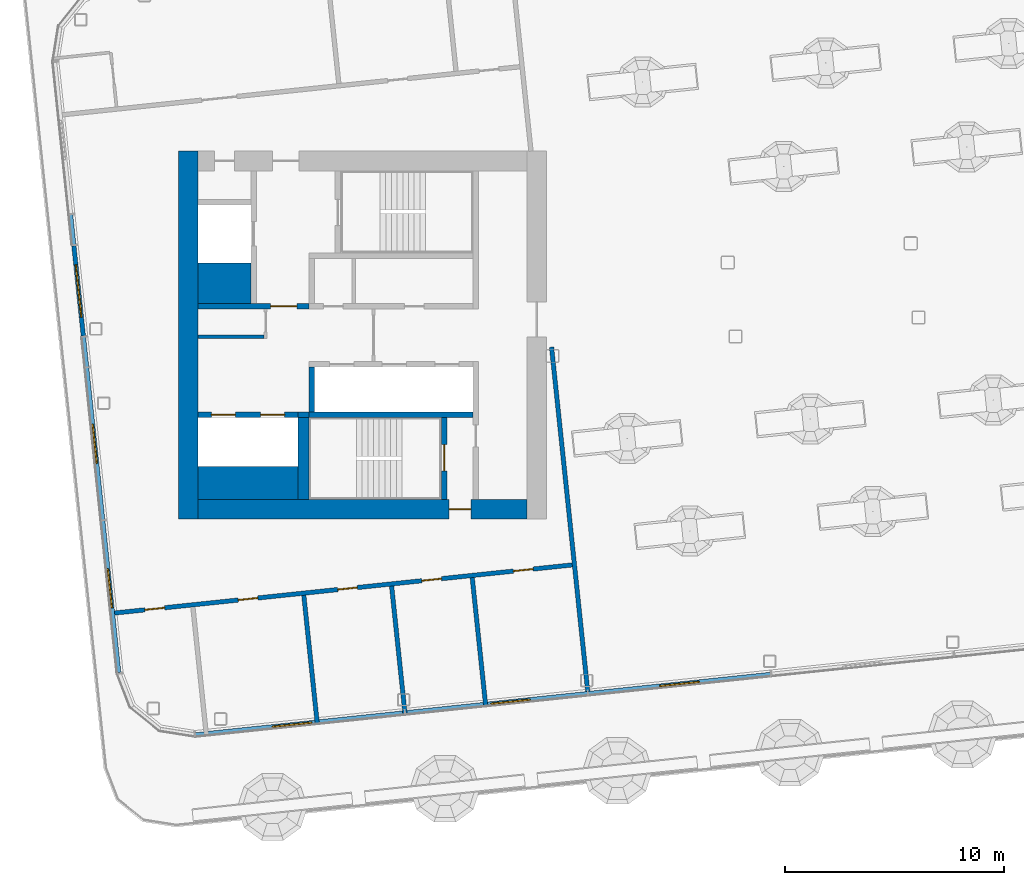
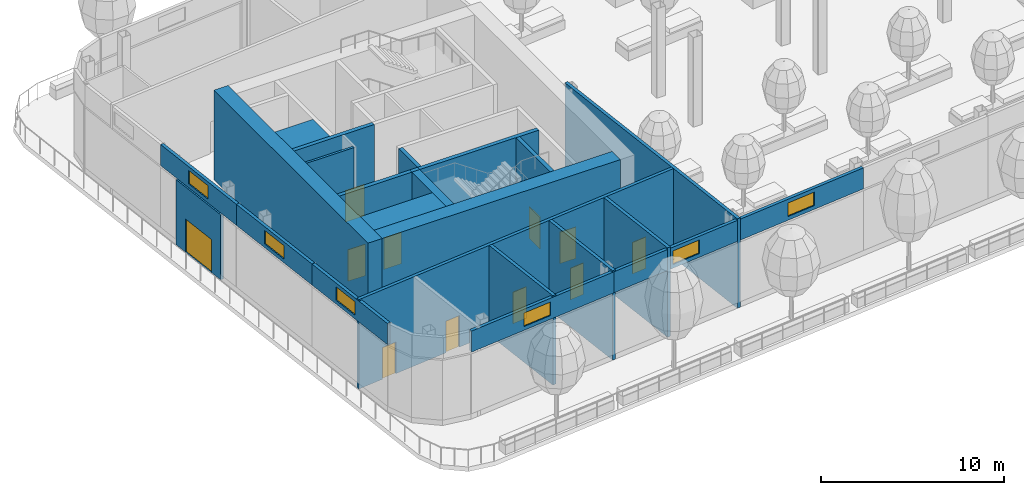
# One storey, part 11 of 42: 24 walls, 11 doors, 6 windows, 17 openings, 2 elements without a shape of their own.
"""IFC4 building model written with IfcOpenShell, lengths in metres."""

from ifc_helpers import new_model, si_unit, direction, frame, frame_2d, origin, place, context, subcontext, project, spatial, rectangle, extrude, material, layer, layer_set, type_object, element, fill, aggregate, save


model = new_model("IFC4")

# Units and contexts
model_context = context("Model", 3, precision=1e-05, world=origin(), true_north=direction((0.0, 1.0)))
body_context = subcontext(model_context, "Body", "Model", "MODEL_VIEW")
ifc_project = project(units=[si_unit("LENGTHUNIT", "METRE"), si_unit("AREAUNIT", "SQUARE_METRE"), si_unit("VOLUMEUNIT", "CUBIC_METRE"), si_unit("PLANEANGLEUNIT", "RADIAN"), si_unit("MASSUNIT", "GRAM", prefix="KILO")], contexts=[model_context])

# Site, building, storey
site_placement = place(None, origin())
site = spatial("IfcSite", under=ifc_project, at=site_placement, CompositionType="ELEMENT")
building_placement = place(site_placement, origin())
building = spatial("IfcBuilding", under=site, at=building_placement, Name="Hakoniwa Tower and Hamabe Station Hall", CompositionType="ELEMENT")
storey_placement = place(building_placement, frame((0.0, 0.0, 232.60009765625)))
storey = spatial("IfcBuildingStorey", under=building, at=storey_placement, Name="L66", CompositionType="ELEMENT", Elevation=232.60009765625)

# Walls
ifc_material_1 = material(Name="Gypsum board partition")
ifc_layer_1 = layer(ifc_material_1, 0.14990234375)
ifc_layer_set_1 = layer_set([ifc_layer_1], Name="CORE PARTITION 150 EI 60")
wall_type_1 = type_object("IfcWallType", Name="CORE PARTITION 150 EI 60", PredefinedType="PARTITIONING", material=ifc_layer_set_1)
wall_1_placement = place(storey_placement, frame((-32.699951171875, -0.074951171875, 0.0), z_axis=(0.0, 0.0, 1.0), x_axis=(1.0, 0.0, 0.0)))
element("IfcWall", 1, at=wall_1_placement, inside=storey, type_object=wall_type_1, Name="Core partition PS west", PredefinedType="PARTITIONING", context=body_context, shape_type="SweptSolid", body=[
    extrude(rectangle(XDim=3.0, YDim=0.14990234375, at=frame_2d((1.5, 0.0))), origin(), (0.0, 0.0, 1.0), 5.949951171875),
])
ifc_material_2 = material(Name="Concrete C60", Category="concrete")
ifc_layer_2 = layer(ifc_material_2, 0.89990234375)
ifc_layer_set_2 = layer_set([ifc_layer_2], Name="CORE WALL 900 C60")
wall_type_2 = type_object("IfcWallType", Name="CORE WALL 900 C60", PredefinedType="SHEAR", material=ifc_layer_set_2)
wall_2_placement = place(storey_placement, frame((-33.14990234375, -8.39990234375, 0.0), z_axis=(0.0, 0.0, 1.0), x_axis=(0.0, 1.0, 0.0)))
element("IfcWall", 2, at=wall_2_placement, inside=storey, type_object=wall_type_2, Name="Core wall OUTER west", PredefinedType="SHEAR", context=body_context, shape_type="SweptSolid", body=[
    extrude(rectangle(XDim=16.7998046875, YDim=0.89990234375, at=frame_2d((8.39990234375, 0.0))), origin(), (0.0, 0.0, 1.0), 5.949951171875),
])

# Wall, opening, door
wall_3_placement = place(storey_placement, frame((-32.699951171875, -7.949951171875, 0.0), z_axis=(0.0, 0.0, 1.0), x_axis=(1.0, 0.0, 0.0)))
wall_3 = element("IfcWall", 3, at=wall_3_placement, inside=storey, type_object=wall_type_2, Name="Core wall SOUTH west", PredefinedType="SHEAR", context=body_context, shape_type="SweptSolid", body=[
    extrude(rectangle(XDim=15.0, YDim=0.89990234375, at=frame_2d((7.5, 0.0))), origin(), (0.0, 0.0, 1.0), 5.949951171875),
])
opening_1_placement = place(wall_3_placement, frame((11.449951171875, 0.0, 0.0)))
opening_1 = element("IfcOpeningElement", 4, at=opening_1_placement, cuts=wall_3, Name="Opening CD-W-FS3-10", PredefinedType="OPENING", context=body_context, shape_type="SweptSolid", body=[
    extrude(rectangle(XDim=1.0, YDim=2.10009765625, at=frame_2d((0.5, 1.050048828125))), frame((0.0, 0.4599609375, 0.0), z_axis=(0.0, -1.0, 0.0), x_axis=(1.0, 0.0, 0.0)), (0.0, 0.0, 1.0), 0.919921875),
])
ifc_material_3 = material(Name="Steel fire door", Category="steel")
door_type_1 = type_object("IfcDoorType", Name="CORE DOOR 1000 FD60", OperationType="NOTDEFINED", PredefinedType="DOOR", material=ifc_material_3)
door_1_placement = place(opening_1_placement, origin())
door_1 = element("IfcDoor", 5, at=door_1_placement, inside=storey, type_object=door_type_1, Name="Stair vestibule door", OperationType="SINGLE_SWING_RIGHT", OverallHeight=2.10009765625, OverallWidth=1.0, PredefinedType="DOOR", context=body_context, shape_type="SweptSolid", body=[
    extrude(rectangle(XDim=1.0, YDim=2.10009765625, at=frame_2d((0.5, 1.050048828125))), frame((0.0, 0.02490234375, 0.0), z_axis=(0.0, -1.0, 0.0), x_axis=(1.0, 0.0, 0.0)), (0.0, 0.0, 1.0), 0.050048828125),
])
fill(opening_1, door_1)

# Walls
ifc_material_4 = material(Name="Concrete C60", Category="concrete")
ifc_layer_3 = layer(ifc_material_4, 1.5)
ifc_layer_set_3 = layer_set([ifc_layer_3], Name="CORE WEB WALL 1500 C60")
wall_type_3 = type_object("IfcWallType", Name="CORE WEB WALL 1500 C60", PredefinedType="SHEAR", material=ifc_layer_set_3)
wall_4_placement = place(storey_placement, frame((-32.699951171875, -6.75, 0.0), z_axis=(0.0, 0.0, 1.0), x_axis=(1.0, 0.0, 0.0)))
element("IfcWall", 6, at=wall_4_placement, inside=storey, type_object=wall_type_3, Name="Core wall SER west", PredefinedType="SHEAR", context=body_context, shape_type="SweptSolid", body=[
    extrude(rectangle(XDim=4.550048828125, YDim=1.5, at=frame_2d((2.27490234375, 0.0))), origin(), (0.0, 0.0, 1.0), 5.949951171875),
])
ifc_material_5 = material(Name="Concrete C60", Category="concrete")
ifc_layer_4 = layer(ifc_material_5, 1.85009765625)
ifc_layer_set_4 = layer_set([ifc_layer_4], Name="CORE WEB WALL 1850 C60")
wall_type_4 = type_object("IfcWallType", Name="CORE WEB WALL 1850 C60", PredefinedType="SHEAR", material=ifc_layer_set_4)
wall_5_placement = place(storey_placement, frame((-32.699951171875, 2.375, 0.0), z_axis=(0.0, 0.0, 1.0), x_axis=(1.0, 0.0, 0.0)))
element("IfcWall", 7, at=wall_5_placement, inside=storey, type_object=wall_type_4, Name="Core wall CA west", PredefinedType="SHEAR", context=body_context, shape_type="SweptSolid", body=[
    extrude(rectangle(XDim=2.39990234375, YDim=1.85009765625, at=frame_2d((1.199951171875, 0.0))), origin(), (0.0, 0.0, 1.0), 5.949951171875),
])

# Wall, opening, door
ifc_material_6 = material(Name="Concrete C60", Category="concrete")
ifc_layer_5 = layer(ifc_material_6, 0.25)
ifc_layer_set_5 = layer_set([ifc_layer_5], Name="CORE WEB WALL 250 C60")
wall_type_5 = type_object("IfcWallType", Name="CORE WEB WALL 250 C60", PredefinedType="SHEAR", material=ifc_layer_set_5)
wall_6_placement = place(storey_placement, frame((-32.699951171875, 1.324951171875, 0.0), z_axis=(0.0, 0.0, 1.0), x_axis=(1.0, 0.0, 0.0)))
wall_6 = element("IfcWall", 8, at=wall_6_placement, inside=storey, type_object=wall_type_5, Name="Core wall ELN west", PredefinedType="SHEAR", context=body_context, shape_type="SweptSolid", body=[
    extrude(rectangle(XDim=5.050048828125, YDim=0.25, at=frame_2d((2.52490234375, 0.0))), origin(), (0.0, 0.0, 1.0), 5.949951171875),
])
opening_2_placement = place(wall_6_placement, frame((3.300048828125, 0.0, 0.0)))
opening_2 = element("IfcOpeningElement", 9, at=opening_2_placement, cuts=wall_6, Name="Opening CD-W-FL-12", PredefinedType="OPENING", context=body_context, shape_type="SweptSolid", body=[
    extrude(rectangle(XDim=1.199951171875, YDim=2.10009765625, at=frame_2d((0.60009765625, 1.050048828125))), frame((0.0, 0.135009765625, 0.0), z_axis=(0.0, -1.0, 0.0), x_axis=(1.0, 0.0, 0.0)), (0.0, 0.0, 1.0), 0.27001953125),
])
ifc_material_7 = material(Name="Steel fire door", Category="steel")
door_type_2 = type_object("IfcDoorType", Name="CORE DOOR 1200 FD60", OperationType="DOUBLE_DOOR_SINGLE_SWING", PredefinedType="DOOR", material=ifc_material_7)
door_2_placement = place(opening_2_placement, origin())
door_2 = element("IfcDoor", 10, at=door_2_placement, inside=storey, type_object=door_type_2, Name="Stair vestibule door to the fire-fighting lobby", OperationType="DOUBLE_DOOR_SINGLE_SWING", OverallHeight=2.10009765625, OverallWidth=1.199951171875, PredefinedType="DOOR", context=body_context, shape_type="SweptSolid", body=[
    extrude(rectangle(XDim=1.199951171875, YDim=2.10009765625, at=frame_2d((0.60009765625, 1.050048828125))), frame((0.0, 0.02490234375, 0.0), z_axis=(0.0, -1.0, 0.0), x_axis=(1.0, 0.0, 0.0)), (0.0, 0.0, 1.0), 0.050048828125),
])
fill(opening_2, door_2)

# Walls
wall_7_placement = place(storey_placement, frame((-27.52490234375, -3.5, 0.0), z_axis=(0.0, 0.0, 1.0), x_axis=(0.0, 1.0, 0.0)))
element("IfcWall", 11, at=wall_7_placement, inside=storey, type_object=wall_type_5, Name="Core wall SE west", PredefinedType="SHEAR", context=body_context, shape_type="SweptSolid", body=[
    extrude(rectangle(XDim=2.050048828125, YDim=0.25, at=frame_2d((1.02490234375, 0.0))), origin(), (0.0, 0.0, 1.0), 5.949951171875),
])
wall_8_placement = place(storey_placement, frame((-27.64990234375, -3.625, 0.0), z_axis=(0.0, 0.0, 1.0), x_axis=(1.0, 0.0, 0.0)))
element("IfcWall", 12, at=wall_8_placement, inside=storey, type_object=wall_type_5, Name="Core wall SR west", PredefinedType="SHEAR", context=body_context, shape_type="SweptSolid", body=[
    extrude(rectangle(XDim=7.5, YDim=0.25, at=frame_2d((3.75, 0.0))), origin(), (0.0, 0.0, 1.0), 5.949951171875),
])

# Wall, opening, door
wall_9_placement = place(storey_placement, frame((-21.47509765625, -7.5, 0.0), z_axis=(0.0, 0.0, 1.0), x_axis=(0.0, 1.0, 0.0)))
wall_9 = element("IfcWall", 13, at=wall_9_placement, inside=storey, type_object=wall_type_5, Name="Core wall VE west", PredefinedType="SHEAR", context=body_context, shape_type="SweptSolid", body=[
    extrude(rectangle(XDim=3.75, YDim=0.25, at=frame_2d((1.875, 0.0))), origin(), (0.0, 0.0, 1.0), 5.949951171875),
])
opening_3_placement = place(wall_9_placement, frame((1.300048828125, 0.0, 0.0)))
opening_3 = element("IfcOpeningElement", 14, at=opening_3_placement, cuts=wall_9, Name="Opening CD-W-SS-12", PredefinedType="OPENING", context=body_context, shape_type="SweptSolid", body=[
    extrude(rectangle(XDim=1.199951171875, YDim=2.10009765625, at=frame_2d((0.60009765625, 1.050048828125))), frame((0.0, 0.135009765625, 0.0), z_axis=(0.0, -1.0, 0.0), x_axis=(1.0, 0.0, 0.0)), (0.0, 0.0, 1.0), 0.27001953125),
])
door_3_placement = place(opening_3_placement, origin())
door_3 = element("IfcDoor", 15, at=door_3_placement, inside=storey, type_object=door_type_2, Name="Escape stair door", OperationType="DOUBLE_DOOR_SINGLE_SWING", OverallHeight=2.10009765625, OverallWidth=1.199951171875, PredefinedType="DOOR", context=body_context, shape_type="SweptSolid", body=[
    extrude(rectangle(XDim=1.199951171875, YDim=2.10009765625, at=frame_2d((0.60009765625, 1.050048828125))), frame((0.0, 0.02490234375, 0.0), z_axis=(0.0, -1.0, 0.0), x_axis=(1.0, 0.0, 0.0)), (0.0, 0.0, 1.0), 0.050048828125),
])
fill(opening_3, door_3)

# Wall, openings, doors
wall_10_placement = place(storey_placement, frame((-32.699951171875, -3.625, 0.0), z_axis=(0.0, 0.0, 1.0), x_axis=(1.0, 0.0, 0.0)))
wall_10 = element("IfcWall", 16, at=wall_10_placement, inside=storey, type_object=wall_type_5, Name="Core wall SEF west", PredefinedType="SHEAR", context=body_context, shape_type="SweptSolid", body=[
    extrude(rectangle(XDim=4.550048828125, YDim=0.25, at=frame_2d((2.27490234375, 0.0))), origin(), (0.0, 0.0, 1.0), 5.949951171875),
])
opening_4_placement = place(wall_10_placement, frame((2.85009765625, 0.0, 0.0)))
opening_4 = element("IfcOpeningElement", 17, at=opening_4_placement, cuts=wall_10, Name="Opening LD-SV1", PredefinedType="OPENING", context=body_context, shape_type="SweptSolid", body=[
    extrude(rectangle(XDim=1.10009765625, YDim=2.10009765625, at=frame_2d((0.550048828125, 1.050048828125))), frame((0.0, 0.135009765625, 0.0), z_axis=(0.0, -1.0, 0.0), x_axis=(1.0, 0.0, 0.0)), (0.0, 0.0, 1.0), 0.27001953125),
])
opening_5_placement = place(wall_10_placement, frame((0.60009765625, 0.0, 0.0)))
opening_5 = element("IfcOpeningElement", 18, at=opening_5_placement, cuts=wall_10, Name="Opening LD-SV2", PredefinedType="OPENING", context=body_context, shape_type="SweptSolid", body=[
    extrude(rectangle(XDim=1.10009765625, YDim=2.10009765625, at=frame_2d((0.550048828125, 1.050048828125))), frame((0.0, 0.135009765625, 0.0), z_axis=(0.0, -1.0, 0.0), x_axis=(1.0, 0.0, 0.0)), (0.0, 0.0, 1.0), 0.27001953125),
])
ifc_material_8 = material(Name="Stainless steel SUS304", Category="steel")
door_type_3 = type_object("IfcDoorType", Name="LIFT LANDING DOOR 1100 FD60", OperationType="DOUBLE_DOOR_SLIDING", PredefinedType="DOOR", material=ifc_material_8)
door_4_placement = place(opening_4_placement, origin())
door_4 = element("IfcDoor", 19, at=door_4_placement, inside=storey, type_object=door_type_3, Name="Lift landing door SV1 L66", OperationType="DOUBLE_DOOR_SLIDING", OverallHeight=2.10009765625, OverallWidth=1.10009765625, PredefinedType="DOOR", context=body_context, shape_type="SweptSolid", body=[
    extrude(rectangle(XDim=1.10009765625, YDim=2.10009765625, at=frame_2d((0.550048828125, 1.050048828125))), frame((0.0, 0.02490234375, 0.0), z_axis=(0.0, -1.0, 0.0), x_axis=(1.0, 0.0, 0.0)), (0.0, 0.0, 1.0), 0.050048828125),
])
fill(opening_4, door_4)
door_5_placement = place(opening_5_placement, origin())
door_5 = element("IfcDoor", 20, at=door_5_placement, inside=storey, type_object=door_type_3, Name="Lift landing door SV2 L66", OperationType="DOUBLE_DOOR_SLIDING", OverallHeight=2.10009765625, OverallWidth=1.10009765625, PredefinedType="DOOR", context=body_context, shape_type="SweptSolid", body=[
    extrude(rectangle(XDim=1.10009765625, YDim=2.10009765625, at=frame_2d((0.550048828125, 1.050048828125))), frame((0.0, 0.02490234375, 0.0), z_axis=(0.0, -1.0, 0.0), x_axis=(1.0, 0.0, 0.0)), (0.0, 0.0, 1.0), 0.050048828125),
])
fill(opening_5, door_5)

# Walls
wall_11_placement = place(storey_placement, frame((-28.14990234375, -3.625, 0.0), z_axis=(0.0, 0.0, 1.0), x_axis=(1.0, 0.0, 0.0)))
element("IfcWall", 21, at=wall_11_placement, inside=storey, type_object=wall_type_5, Name="Core wall SRK west", PredefinedType="SHEAR", context=body_context, shape_type="SweptSolid", body=[
    extrude(rectangle(XDim=0.5, YDim=0.25, at=frame_2d((0.25, 0.0))), origin(), (0.0, 0.0, 1.0), 5.949951171875),
])
ifc_material_9 = material(Name="Concrete C60", Category="concrete")
ifc_layer_6 = layer(ifc_material_9, 0.5)
ifc_layer_set_6 = layer_set([ifc_layer_6], Name="CORE WEB WALL 500 C60")
wall_type_6 = type_object("IfcWallType", Name="CORE WEB WALL 500 C60", PredefinedType="SHEAR", material=ifc_layer_set_6)
wall_12_placement = place(storey_placement, frame((-27.89990234375, -7.5, 0.0), z_axis=(0.0, 0.0, 1.0), x_axis=(0.0, 1.0, 0.0)))
element("IfcWall", 22, at=wall_12_placement, inside=storey, type_object=wall_type_6, Name="Core wall SSE west", PredefinedType="SHEAR", context=body_context, shape_type="SweptSolid", body=[
    extrude(rectangle(XDim=3.75, YDim=0.5, at=frame_2d((1.875, 0.0))), origin(), (0.0, 0.0, 1.0), 5.949951171875),
])

# Wall, openings, doors
ifc_material_10 = material(Name="Fire-rated gypsum board partition", Category="gypsum")
ifc_layer_7 = layer(ifc_material_10, 0.199951171875)
ifc_layer_set_7 = layer_set([ifc_layer_7], Name="Corridor Wall 200")
wall_type_7 = type_object("IfcWallType", Name="Corridor Wall 200", PredefinedType="PARTITIONING", material=ifc_layer_set_7)
wall_13_placement = place(storey_placement, frame((-36.711669921875, -12.704833984375, 0.0), z_axis=(0.0, 0.0, 1.0), x_axis=(0.994522460242, 0.104523088709, 0.0)))
wall_13 = element("IfcWall", 23, at=wall_13_placement, inside=storey, type_object=wall_type_7, Name="GW-L66-002", PredefinedType="PARTITIONING", context=body_context, shape_type="SweptSolid", body=[
    extrude(rectangle(XDim=21.2998046875, YDim=0.199951171875, at=frame_2d((10.64990234375, 0.0))), origin(), (0.0, 0.0, 1.0), 5.949951171875),
])
opening_6_placement = place(wall_13_placement, frame((1.590087890625, 0.0, 0.0)))
opening_6 = element("IfcOpeningElement", 24, at=opening_6_placement, cuts=wall_13, Name="Opening GD-SL66-01", PredefinedType="OPENING", context=body_context, shape_type="SweptSolid", body=[
    extrude(rectangle(XDim=0.89990234375, YDim=2.10009765625, at=frame_2d((0.449951171875, 1.050048828125))), frame((0.0, 0.10986328125, 0.0), z_axis=(0.0, -1.0, 0.0), x_axis=(1.0, 0.0, 0.0)), (0.0, 0.0, 1.0), 0.219970703125),
])
opening_7_placement = place(wall_13_placement, frame((5.875, 0.0, 0.0)))
opening_7 = element("IfcOpeningElement", 25, at=opening_7_placement, cuts=wall_13, Name="Opening GD-SL66-02", PredefinedType="OPENING", context=body_context, shape_type="SweptSolid", body=[
    extrude(rectangle(XDim=0.89990234375, YDim=2.10009765625, at=frame_2d((0.449951171875, 1.050048828125))), frame((0.0, 0.10986328125, 0.0), z_axis=(0.0, -1.0, 0.0), x_axis=(1.0, 0.0, 0.0)), (0.0, 0.0, 1.0), 0.219970703125),
])
opening_8_placement = place(wall_13_placement, frame((10.43505859375, 0.0, 0.0)))
opening_8 = element("IfcOpeningElement", 26, at=opening_8_placement, cuts=wall_13, Name="Opening GD-SL66-03", PredefinedType="OPENING", context=body_context, shape_type="SweptSolid", body=[
    extrude(rectangle(XDim=0.89990234375, YDim=2.10009765625, at=frame_2d((0.449951171875, 1.050048828125))), frame((0.0, 0.10986328125, 0.0), z_axis=(0.0, -1.0, 0.0), x_axis=(1.0, 0.0, 0.0)), (0.0, 0.0, 1.0), 0.219970703125),
])
opening_9_placement = place(wall_13_placement, frame((14.300048828125, 0.0, 0.0)))
opening_9 = element("IfcOpeningElement", 27, at=opening_9_placement, cuts=wall_13, Name="Opening GD-SL66-04", PredefinedType="OPENING", context=body_context, shape_type="SweptSolid", body=[
    extrude(rectangle(XDim=0.89990234375, YDim=2.10009765625, at=frame_2d((0.449951171875, 1.050048828125))), frame((0.0, 0.10986328125, 0.0), z_axis=(0.0, -1.0, 0.0), x_axis=(1.0, 0.0, 0.0)), (0.0, 0.0, 1.0), 0.219970703125),
])
opening_10_placement = place(wall_13_placement, frame((18.5, 0.0, 0.0)))
opening_10 = element("IfcOpeningElement", 28, at=opening_10_placement, cuts=wall_13, Name="Opening GD-SL66-05", PredefinedType="OPENING", context=body_context, shape_type="SweptSolid", body=[
    extrude(rectangle(XDim=0.89990234375, YDim=2.10009765625, at=frame_2d((0.449951171875, 1.050048828125))), frame((0.0, 0.10986328125, 0.0), z_axis=(0.0, -1.0, 0.0), x_axis=(1.0, 0.0, 0.0)), (0.0, 0.0, 1.0), 0.219970703125),
])
ifc_material_11 = material(Name="Timber door leaf", Category="wood")
door_type_4 = type_object("IfcDoorType", Name="Service Door 900", OperationType="SINGLE_SWING_LEFT", PredefinedType="DOOR", material=ifc_material_11)
door_6_placement = place(opening_6_placement, origin())
door_6 = element("IfcDoor", 29, at=door_6_placement, inside=storey, type_object=door_type_4, Name="Door GD-SL66-01", OperationType="SINGLE_SWING_RIGHT", OverallHeight=2.10009765625, OverallWidth=0.89990234375, PredefinedType="DOOR", context=body_context, shape_type="SweptSolid", body=[
    extrude(rectangle(XDim=0.89990234375, YDim=2.10009765625, at=frame_2d((0.449951171875, 1.050048828125))), frame((0.0, 0.02490234375, 0.0), z_axis=(0.0, -1.0, 0.0), x_axis=(1.0, 0.0, 0.0)), (0.0, 0.0, 1.0), 0.050048828125),
])
fill(opening_6, door_6)
door_7_placement = place(opening_7_placement, origin())
door_7 = element("IfcDoor", 30, at=door_7_placement, inside=storey, type_object=door_type_4, Name="Door GD-SL66-02", OperationType="SINGLE_SWING_RIGHT", OverallHeight=2.10009765625, OverallWidth=0.89990234375, PredefinedType="DOOR", context=body_context, shape_type="SweptSolid", body=[
    extrude(rectangle(XDim=0.89990234375, YDim=2.10009765625, at=frame_2d((0.449951171875, 1.050048828125))), frame((0.0, 0.02490234375, 0.0), z_axis=(0.0, -1.0, 0.0), x_axis=(1.0, 0.0, 0.0)), (0.0, 0.0, 1.0), 0.050048828125),
])
fill(opening_7, door_7)
door_8_placement = place(opening_8_placement, origin())
door_8 = element("IfcDoor", 31, at=door_8_placement, inside=storey, type_object=door_type_4, Name="Door GD-SL66-03", OperationType="SINGLE_SWING_LEFT", OverallHeight=2.10009765625, OverallWidth=0.89990234375, PredefinedType="DOOR", context=body_context, shape_type="SweptSolid", body=[
    extrude(rectangle(XDim=0.89990234375, YDim=2.10009765625, at=frame_2d((0.449951171875, 1.050048828125))), frame((0.0, 0.02490234375, 0.0), z_axis=(0.0, -1.0, 0.0), x_axis=(1.0, 0.0, 0.0)), (0.0, 0.0, 1.0), 0.050048828125),
])
fill(opening_8, door_8)
door_9_placement = place(opening_9_placement, origin())
door_9 = element("IfcDoor", 32, at=door_9_placement, inside=storey, type_object=door_type_4, Name="Door GD-SL66-04", OperationType="SINGLE_SWING_RIGHT", OverallHeight=2.10009765625, OverallWidth=0.89990234375, PredefinedType="DOOR", context=body_context, shape_type="SweptSolid", body=[
    extrude(rectangle(XDim=0.89990234375, YDim=2.10009765625, at=frame_2d((0.449951171875, 1.050048828125))), frame((0.0, 0.02490234375, 0.0), z_axis=(0.0, -1.0, 0.0), x_axis=(1.0, 0.0, 0.0)), (0.0, 0.0, 1.0), 0.050048828125),
])
fill(opening_9, door_9)
door_10_placement = place(opening_10_placement, origin())
door_10 = element("IfcDoor", 33, at=door_10_placement, inside=storey, type_object=door_type_4, Name="Door GD-SL66-05", OperationType="SINGLE_SWING_LEFT", OverallHeight=2.10009765625, OverallWidth=0.89990234375, PredefinedType="DOOR", context=body_context, shape_type="SweptSolid", body=[
    extrude(rectangle(XDim=0.89990234375, YDim=2.10009765625, at=frame_2d((0.449951171875, 1.050048828125))), frame((0.0, 0.02490234375, 0.0), z_axis=(0.0, -1.0, 0.0), x_axis=(1.0, 0.0, 0.0)), (0.0, 0.0, 1.0), 0.050048828125),
])
fill(opening_10, door_10)

# Curtain wall, wall, opening, door
ifc_material_12 = material(Name="Dark low-e laminated glass", Category="glass")
ifc_layer_8 = layer(ifc_material_12, 0.199951171875)
ifc_layer_set_8 = layer_set([ifc_layer_8], Name="CW-2 SKY GARDEN")
curtain_wall_type = type_object("IfcCurtainWallType", Name="CW-2 SKY GARDEN", PredefinedType="NOTDEFINED", material=ifc_layer_set_8)
curtain_wall_1_placement = place(storey_placement, origin())
curtain_wall_1 = element("IfcCurtainWall", 34, at=curtain_wall_1_placement, inside=storey, type_object=curtain_wall_type, Name="CW-2 curtain wall", PredefinedType="NOTDEFINED")
ifc_material_13 = material(Name="Dark glass-faced aluminium panel", Category="aluminium")
ifc_layer_9 = layer(ifc_material_13, 0.199951171875)
ifc_layer_set_9 = layer_set([ifc_layer_9], Name="DOOR BAY WALL")
wall_type_8 = type_object("IfcWallType", Name="DOOR BAY WALL", PredefinedType="NOTDEFINED", material=ifc_layer_set_9)
wall_14_placement = place(storey_placement, frame((-38.375, 4.0771484375, 0.0), z_axis=(0.0, 0.0, 1.0), x_axis=(0.10450059231, -0.994524824329, 0.0)))
wall_14 = element("IfcWall", 35, at=wall_14_placement, type_object=wall_type_8, Name="Door bay wall", PredefinedType="NOTDEFINED", context=body_context, shape_type="SweptSolid", body=[
    extrude(rectangle(XDim=4.139892578125, YDim=0.199951171875, at=frame_2d((2.06982421875, 0.0))), origin(), (0.0, 0.0, 1.0), 4.329833984375),
])
opening_11_placement = place(wall_14_placement, frame((0.8701171875, 0.0, 0.0)))
opening_11 = element("IfcOpeningElement", 36, at=opening_11_placement, cuts=wall_14, Name="Opening TD-W05-T2", PredefinedType="OPENING", context=body_context, shape_type="SweptSolid", body=[
    extrude(rectangle(XDim=2.39990234375, YDim=2.199951171875, at=frame_2d((1.199951171875, 1.10009765625))), frame((0.0, 0.10986328125, 0.0), z_axis=(0.0, -1.0, 0.0), x_axis=(1.0, 0.0, 0.0)), (0.0, 0.0, 1.0), 0.219970703125),
])
ifc_material_14 = material(Name="Dark low-e laminated glass", Category="glass")
door_type_5 = type_object("IfcDoorType", Name="BALCONY SLIDING DOOR 2400X2200", OperationType="SLIDING_TO_LEFT", PredefinedType="DOOR", material=ifc_material_14)
door_11_placement = place(opening_11_placement, frame((2.39990234375, 0.0, 0.0), z_axis=(0.0, 0.0, 1.0), x_axis=(-1.0, 0.0, 0.0)))
door_11 = element("IfcDoor", 37, at=door_11_placement, inside=storey, type_object=door_type_5, Name="Balcony sliding door", OperationType="SLIDING_TO_LEFT", OverallHeight=2.199951171875, OverallWidth=2.39990234375, PredefinedType="DOOR", context=body_context, shape_type="SweptSolid", body=[
    extrude(rectangle(XDim=2.39990234375, YDim=2.199951171875, at=frame_2d((1.199951171875, 1.10009765625))), frame((0.0, 0.02490234375, 0.0), z_axis=(0.0, -1.0, 0.0), x_axis=(1.0, 0.0, 0.0)), (0.0, 0.0, 1.0), 0.050048828125),
])
fill(opening_11, door_11)

# Walls
ifc_material_15 = material(Name="Fire-rated gypsum board partition", Category="gypsum")
ifc_layer_10 = layer(ifc_material_15, 0.199951171875)
ifc_layer_set_10 = layer_set([ifc_layer_10], Name="Party Wall 200")
wall_type_9 = type_object("IfcWallType", Name="Party Wall 200", PredefinedType="PARTITIONING", material=ifc_layer_set_10)
for number, where, z_axis, x_axis, name in (
    (38, (-27.261474609375, -17.760498046875, 0.0), (0.0, 0.0, 1.0), (-0.10453655107, 0.994521045273, 0.0), "GW-L66-009"),
    (39, (-23.253662109375, -17.33935546875, 0.0), (0.0, 0.0, 1.0), (-0.10453655107, 0.994521045273, 0.0), "GW-L66-010"),
):
    element("IfcWall", number, at=place(storey_placement, frame(where, z_axis=z_axis, x_axis=x_axis)), inside=storey, type_object=wall_type_9, Name=name, PredefinedType="PARTITIONING", context=body_context, shape_type="SweptSolid", body=[
        extrude(rectangle(XDim=5.915771484375, YDim=0.199951171875, at=frame_2d((2.9580078125, 0.0))), origin(), (0.0, 0.0, 1.0), 5.949951171875),
    ])
wall_15_placement = place(storey_placement, frame((-19.573974609375, -16.95263671875, 0.0), z_axis=(0.0, 0.0, 1.0), x_axis=(-0.104491443182, 0.994525785639, 0.0)))
element("IfcWall", 40, at=wall_15_placement, inside=storey, type_object=wall_type_9, Name="GW-L66-012", PredefinedType="PARTITIONING", context=body_context, shape_type="SweptSolid", body=[
    extrude(rectangle(XDim=5.916015625, YDim=0.199951171875, at=frame_2d((2.9580078125, 0.0))), origin(), (0.0, 0.0, 1.0), 5.949951171875),
])
wall_16_placement = place(storey_placement, frame((-14.899658203125, -16.46142578125, 0.0), z_axis=(0.0, 0.0, 1.0), x_axis=(-0.104522747265, 0.994522496128, 0.0)))
element("IfcWall", 41, at=wall_16_placement, inside=storey, type_object=wall_type_9, Name="GW-L66-014", PredefinedType="PARTITIONING", context=body_context, shape_type="SweptSolid", body=[
    extrude(rectangle(XDim=16.0, YDim=0.199951171875, at=frame_2d((8.0, 0.0))), origin(), (0.0, 0.0, 1.0), 5.949951171875),
])

# Wall, opening, window
ifc_material_16 = material(Name="Dark glass-faced aluminium panel", Category="aluminium")
ifc_layer_11 = layer(ifc_material_16, 0.199951171875)
ifc_layer_set_11 = layer_set([ifc_layer_11], Name="VENT BAND WALL")
wall_type_10 = type_object("IfcWallType", Name="VENT BAND WALL", PredefinedType="NOTDEFINED", material=ifc_layer_set_11)
wall_17_placement = place(storey_placement, frame((-38.525634765625, 5.50927734375, 4.449951171875), z_axis=(0.0, 0.0, 1.0), x_axis=(0.104543574031, -0.994520307047, 0.0)))
wall_17 = element("IfcWall", 42, at=wall_17_placement, type_object=wall_type_10, Name="Vent band wall", PredefinedType="NOTDEFINED", context=body_context, shape_type="SweptSolid", body=[
    extrude(rectangle(XDim=7.02001953125, YDim=0.199951171875, at=frame_2d((3.510009765625, 0.0))), origin(), (0.0, 0.0, 1.0), 1.39990234375),
])
opening_12_placement = place(wall_17_placement, frame((2.60986328125, 0.0, 0.25)))
opening_12 = element("IfcOpeningElement", 43, at=opening_12_placement, cuts=wall_17, Name="Opening VW-1", PredefinedType="OPENING", context=body_context, shape_type="SweptSolid", body=[
    extrude(rectangle(XDim=1.800048828125, YDim=0.89990234375, at=frame_2d((0.89990234375, 0.449951171875))), frame((0.0, 0.10986328125, 0.0), z_axis=(0.0, -1.0, 0.0), x_axis=(1.0, 0.0, 0.0)), (0.0, 0.0, 1.0), 0.219970703125),
])
ifc_material_17 = material(Name="Dark low-e laminated glass", Category="glass")
window_type = type_object("IfcWindowType", Name="VENT WINDOW 1800X900", PartitioningType="SINGLE_PANEL", PredefinedType="WINDOW", material=ifc_material_17)
window_1_placement = place(opening_12_placement, origin())
window_1 = element("IfcWindow", 44, at=window_1_placement, inside=storey, type_object=window_type, Name="Vent window", OverallHeight=0.89990234375, OverallWidth=1.800048828125, PartitioningType="SINGLE_PANEL", PredefinedType="WINDOW", context=body_context, shape_type="SweptSolid", body=[
    extrude(rectangle(XDim=1.800048828125, YDim=0.89990234375, at=frame_2d((0.89990234375, 0.449951171875))), frame((0.0, 0.030029296875, 0.0), z_axis=(0.0, -1.0, 0.0), x_axis=(1.0, 0.0, 0.0)), (0.0, 0.0, 1.0), 0.06005859375),
])
fill(opening_12, window_1)

wall_18_placement = place(storey_placement, frame((-37.791748046875, -1.47216796875, 4.449951171875), z_axis=(0.0, 0.0, 1.0), x_axis=(0.104512790532, -0.994523542514, 0.0)))
wall_18 = element("IfcWall", 45, at=wall_18_placement, type_object=wall_type_10, Name="Vent band wall", PredefinedType="NOTDEFINED", context=body_context, shape_type="SweptSolid", body=[
    extrude(rectangle(XDim=7.01953125, YDim=0.199951171875, at=frame_2d((3.509765625, 0.0))), origin(), (0.0, 0.0, 1.0), 1.39990234375),
])
opening_13_placement = place(wall_18_placement, frame((2.60986328125, 0.0, 0.25)))
opening_13 = element("IfcOpeningElement", 46, at=opening_13_placement, cuts=wall_18, Name="Opening VW-1", PredefinedType="OPENING", context=body_context, shape_type="SweptSolid", body=[
    extrude(rectangle(XDim=1.800048828125, YDim=0.89990234375, at=frame_2d((0.89990234375, 0.449951171875))), frame((0.0, 0.10986328125, 0.0), z_axis=(0.0, -1.0, 0.0), x_axis=(1.0, 0.0, 0.0)), (0.0, 0.0, 1.0), 0.219970703125),
])
window_2_placement = place(opening_13_placement, origin())
window_2 = element("IfcWindow", 47, at=window_2_placement, inside=storey, type_object=window_type, Name="Vent window", OverallHeight=0.89990234375, OverallWidth=1.800048828125, PartitioningType="SINGLE_PANEL", PredefinedType="WINDOW", context=body_context, shape_type="SweptSolid", body=[
    extrude(rectangle(XDim=1.800048828125, YDim=0.89990234375, at=frame_2d((0.89990234375, 0.449951171875))), frame((0.0, 0.030029296875, 0.0), z_axis=(0.0, -1.0, 0.0), x_axis=(1.0, 0.0, 0.0)), (0.0, 0.0, 1.0), 0.06005859375),
])
fill(opening_13, window_2)

wall_19_placement = place(storey_placement, frame((-37.05810546875, -8.453369140625, 4.449951171875), z_axis=(0.0, 0.0, 1.0), x_axis=(0.104541145751, -0.994520562304, 0.0)))
wall_19 = element("IfcWall", 48, at=wall_19_placement, type_object=wall_type_10, Name="Vent band wall", PredefinedType="NOTDEFINED", context=body_context, shape_type="SweptSolid", body=[
    extrude(rectangle(XDim=6.98974609375, YDim=0.199951171875, at=frame_2d((3.494873046875, 0.0))), origin(), (0.0, 0.0, 1.0), 1.39990234375),
])
opening_14_placement = place(wall_19_placement, frame((2.21435546875, 0.0, 0.25)))
opening_14 = element("IfcOpeningElement", 49, at=opening_14_placement, cuts=wall_19, Name="Opening VW-1", PredefinedType="OPENING", context=body_context, shape_type="SweptSolid", body=[
    extrude(rectangle(XDim=1.800048828125, YDim=0.89990234375, at=frame_2d((0.89990234375, 0.449951171875))), frame((0.0, 0.10986328125, 0.0), z_axis=(0.0, -1.0, 0.0), x_axis=(1.0, 0.0, 0.0)), (0.0, 0.0, 1.0), 0.219970703125),
])
window_3_placement = place(opening_14_placement, origin())
window_3 = element("IfcWindow", 50, at=window_3_placement, inside=storey, type_object=window_type, Name="Vent window", OverallHeight=0.89990234375, OverallWidth=1.800048828125, PartitioningType="SINGLE_PANEL", PredefinedType="WINDOW", context=body_context, shape_type="SweptSolid", body=[
    extrude(rectangle(XDim=1.800048828125, YDim=0.89990234375, at=frame_2d((0.89990234375, 0.449951171875))), frame((0.0, 0.030029296875, 0.0), z_axis=(0.0, -1.0, 0.0), x_axis=(1.0, 0.0, 0.0)), (0.0, 0.0, 1.0), 0.06005859375),
])
fill(opening_14, window_3)

aggregate(curtain_wall_1, [wall_17, wall_18, wall_19, wall_14])

# Curtain wall, walls, openings, windows
curtain_wall_2_placement = place(storey_placement, origin())
curtain_wall_2 = element("IfcCurtainWall", 51, at=curtain_wall_2_placement, inside=storey, type_object=curtain_wall_type, Name="CW-2 curtain wall", PredefinedType="NOTDEFINED")
wall_20_placement = place(storey_placement, frame((-32.82080078125, -18.244384765625, 4.449951171875), z_axis=(0.0, 0.0, 1.0), x_axis=(0.994522424081, 0.104523432778, 0.0)))
wall_20 = element("IfcWall", 52, at=wall_20_placement, type_object=wall_type_10, Name="Vent band wall", PredefinedType="NOTDEFINED", context=body_context, shape_type="SweptSolid", body=[
    extrude(rectangle(XDim=9.609375, YDim=0.199951171875, at=frame_2d((4.8046875, 0.0))), origin(), (0.0, 0.0, 1.0), 1.39990234375),
])
opening_15_placement = place(wall_20_placement, frame((3.529541015625, 0.0, 0.25)))
opening_15 = element("IfcOpeningElement", 53, at=opening_15_placement, cuts=wall_20, Name="Opening VW-1", PredefinedType="OPENING", context=body_context, shape_type="SweptSolid", body=[
    extrude(rectangle(XDim=1.800048828125, YDim=0.89990234375, at=frame_2d((0.89990234375, 0.449951171875))), frame((0.0, 0.10986328125, 0.0), z_axis=(0.0, -1.0, 0.0), x_axis=(1.0, 0.0, 0.0)), (0.0, 0.0, 1.0), 0.219970703125),
])
window_4_placement = place(opening_15_placement, origin())
window_4 = element("IfcWindow", 54, at=window_4_placement, inside=storey, type_object=window_type, Name="Vent window", OverallHeight=0.89990234375, OverallWidth=1.800048828125, PartitioningType="SINGLE_PANEL", PredefinedType="WINDOW", context=body_context, shape_type="SweptSolid", body=[
    extrude(rectangle(XDim=1.800048828125, YDim=0.89990234375, at=frame_2d((0.89990234375, 0.449951171875))), frame((0.0, 0.030029296875, 0.0), z_axis=(0.0, -1.0, 0.0), x_axis=(1.0, 0.0, 0.0)), (0.0, 0.0, 1.0), 0.06005859375),
])
fill(opening_15, window_4)
wall_21_placement = place(storey_placement, frame((-23.26416015625, -17.239990234375, 4.449951171875), z_axis=(0.0, 0.0, 1.0), x_axis=(0.994520253788, 0.104544080685, 0.0)))
wall_21 = element("IfcWall", 55, at=wall_21_placement, type_object=wall_type_10, Name="Vent band wall", PredefinedType="NOTDEFINED", context=body_context, shape_type="SweptSolid", body=[
    extrude(rectangle(XDim=8.400146484375, YDim=0.199951171875, at=frame_2d((4.2001953125, 0.0))), origin(), (0.0, 0.0, 1.0), 1.39990234375),
])
opening_16_placement = place(wall_21_placement, frame((3.949951171875, 0.0, 0.25)))
opening_16 = element("IfcOpeningElement", 56, at=opening_16_placement, cuts=wall_21, Name="Opening VW-1", PredefinedType="OPENING", context=body_context, shape_type="SweptSolid", body=[
    extrude(rectangle(XDim=1.800048828125, YDim=0.89990234375, at=frame_2d((0.89990234375, 0.449951171875))), frame((0.0, 0.10986328125, 0.0), z_axis=(0.0, -1.0, 0.0), x_axis=(1.0, 0.0, 0.0)), (0.0, 0.0, 1.0), 0.219970703125),
])
window_5_placement = place(opening_16_placement, origin())
window_5 = element("IfcWindow", 57, at=window_5_placement, inside=storey, type_object=window_type, Name="Vent window", OverallHeight=0.89990234375, OverallWidth=1.800048828125, PartitioningType="SINGLE_PANEL", PredefinedType="WINDOW", context=body_context, shape_type="SweptSolid", body=[
    extrude(rectangle(XDim=1.800048828125, YDim=0.89990234375, at=frame_2d((0.89990234375, 0.449951171875))), frame((0.0, 0.030029296875, 0.0), z_axis=(0.0, -1.0, 0.0), x_axis=(1.0, 0.0, 0.0)), (0.0, 0.0, 1.0), 0.06005859375),
])
fill(opening_16, window_5)
wall_22_placement = place(storey_placement, frame((-14.91015625, -16.36181640625, 4.449951171875), z_axis=(0.0, 0.0, 1.0), x_axis=(0.994523275226, 0.104515333968, 0.0)))
wall_22 = element("IfcWall", 58, at=wall_22_placement, type_object=wall_type_10, Name="Vent band wall", PredefinedType="NOTDEFINED", context=body_context, shape_type="SweptSolid", body=[
    extrude(rectangle(XDim=8.39990234375, YDim=0.199951171875, at=frame_2d((4.199951171875, 0.0))), origin(), (0.0, 0.0, 1.0), 1.39990234375),
])
opening_17_placement = place(wall_22_placement, frame((3.300048828125, 0.0, 0.25)))
opening_17 = element("IfcOpeningElement", 59, at=opening_17_placement, cuts=wall_22, Name="Opening VW-1", PredefinedType="OPENING", context=body_context, shape_type="SweptSolid", body=[
    extrude(rectangle(XDim=1.800048828125, YDim=0.89990234375, at=frame_2d((0.89990234375, 0.449951171875))), frame((0.0, 0.10986328125, 0.0), z_axis=(0.0, -1.0, 0.0), x_axis=(1.0, 0.0, 0.0)), (0.0, 0.0, 1.0), 0.219970703125),
])
window_6_placement = place(opening_17_placement, origin())
window_6 = element("IfcWindow", 60, at=window_6_placement, inside=storey, type_object=window_type, Name="Vent window", OverallHeight=0.89990234375, OverallWidth=1.800048828125, PartitioningType="SINGLE_PANEL", PredefinedType="WINDOW", context=body_context, shape_type="SweptSolid", body=[
    extrude(rectangle(XDim=1.800048828125, YDim=0.89990234375, at=frame_2d((0.89990234375, 0.449951171875))), frame((0.0, 0.030029296875, 0.0), z_axis=(0.0, -1.0, 0.0), x_axis=(1.0, 0.0, 0.0)), (0.0, 0.0, 1.0), 0.06005859375),
])
fill(opening_17, window_6)
aggregate(curtain_wall_2, [wall_20, wall_21, wall_22])

save(model, "model.ifc")
